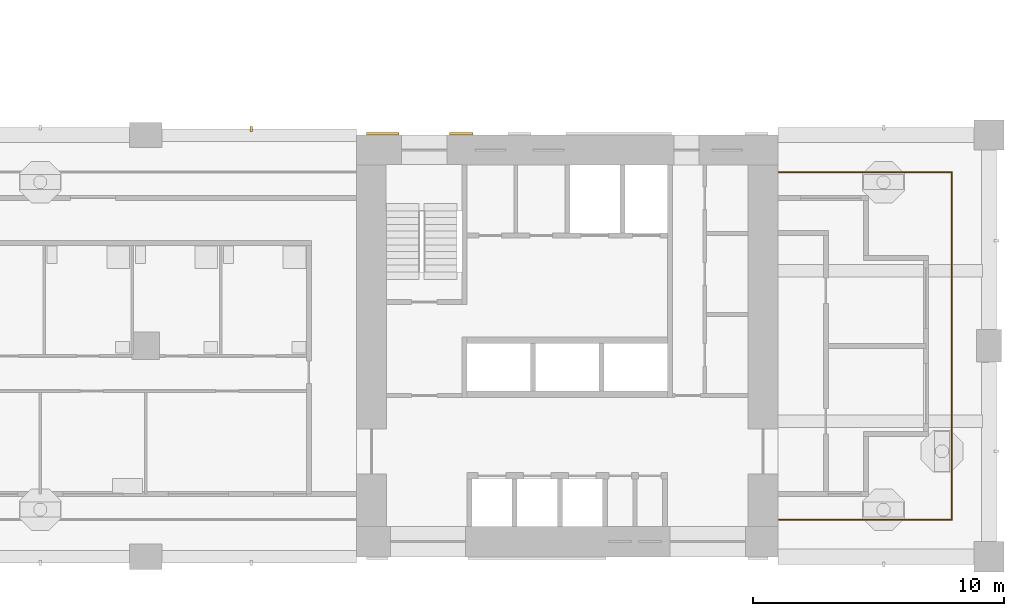
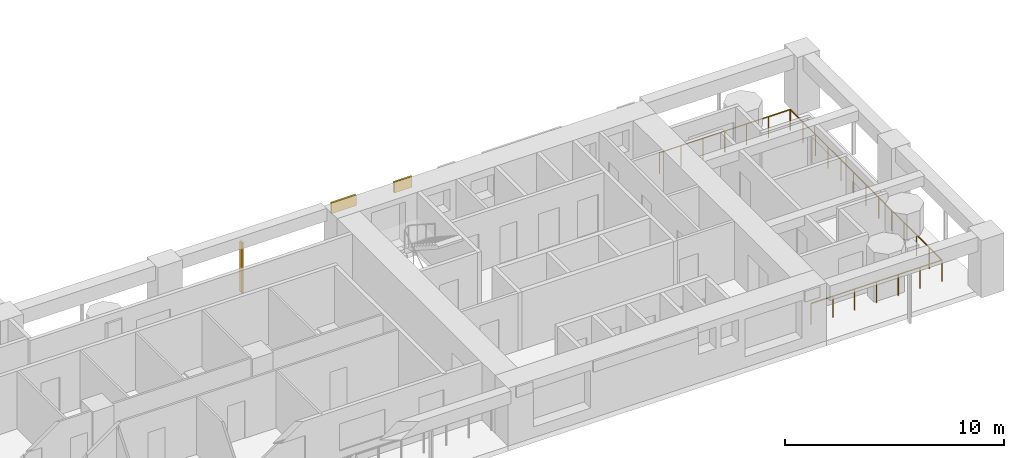
# One storey, part 13 of 19: 3 shading devices, 1 railing.
"""IFC4 building model written with IfcOpenShell, lengths in metres."""

from ifc_helpers import new_model, si_unit, direction, frame, origin, origin_2d, place, context, subcontext, project, spatial, rectangle, circle, extrude, material, layer, layer_set, material_profile, profile_set, type_object, element, save


model = new_model("IFC4")

# Units and contexts
model_context = context("Model", 3, precision=1e-05, world=origin(), true_north=direction((0.0, 1.0)))
body_context = subcontext(model_context, "Body", "Model", "MODEL_VIEW")
ifc_project = project(units=[si_unit("LENGTHUNIT", "METRE"), si_unit("AREAUNIT", "SQUARE_METRE"), si_unit("VOLUMEUNIT", "CUBIC_METRE"), si_unit("PLANEANGLEUNIT", "RADIAN"), si_unit("MASSUNIT", "GRAM", prefix="KILO")], contexts=[model_context])

# Site, building, storey
site_placement = place(None, origin())
site = spatial("IfcSite", under=ifc_project, at=site_placement, CompositionType="ELEMENT")
building_placement = place(site_placement, origin())
building = spatial("IfcBuilding", under=site, at=building_placement, Name="Vermilion Gate Residences", CompositionType="ELEMENT")
storey_placement = place(building_placement, frame((0.0, 0.0, 119.699951171875)))
storey = spatial("IfcBuildingStorey", under=building, at=storey_placement, Name="L30", CompositionType="ELEMENT", Elevation=119.699951171875)

# Railing
ifc_material_1 = material(Name="Stainless steel and toughened glass", Category="steel")
railing_type = type_object("IfcRailingType", Name="LOGGIA GUARD STEEL AND GLASS 1200", PredefinedType="GUARDRAIL", material=ifc_material_1)
railing_placement = place(storey_placement, frame((58.822021484375, 9.875, 0.0)))
element("IfcRailing", 1, at=railing_placement, inside=storey, type_object=railing_type, Name="Loggia guard", PredefinedType="GUARDRAIL", context=body_context, shape_type="SweptSolid", body=[
    extrude(circle(Radius=0.030029296875, at=origin_2d()), frame((0.0, 0.0, 1.169921875), z_axis=(1.0, 0.0, 0.0), x_axis=(0.0, 1.0, 0.0)), (0.0, 0.0, 1.0), 6.903076171875),
    extrude(circle(Radius=0.030029296875, at=origin_2d()), frame((6.903076171875, 0.0, 1.169921875), z_axis=(0.0, 1.0, 0.0), x_axis=(-1.0, 0.0, 0.0)), (0.0, 0.0, 1.0), 13.85009765625),
    extrude(circle(Radius=0.030029296875, at=origin_2d()), frame((6.903076171875, 13.85009765625, 1.169921875), z_axis=(-1.0, 0.0, 0.0), x_axis=(0.0, -1.0, 0.0)), (0.0, 0.0, 1.0), 6.903076171875),
    extrude(circle(Radius=0.02490234375, at=origin_2d()), origin(), (0.0, 0.0, 1.0), 1.139892578125),
    extrude(circle(Radius=0.02490234375, at=origin_2d()), frame((1.150390625, 0.0, 0.0)), (0.0, 0.0, 1.0), 1.139892578125),
    extrude(circle(Radius=0.02490234375, at=origin_2d()), frame((2.301025390625, 0.0, 0.0)), (0.0, 0.0, 1.0), 1.139892578125),
    extrude(circle(Radius=0.02490234375, at=origin_2d()), frame((3.45166015625, 0.0, 0.0)), (0.0, 0.0, 1.0), 1.139892578125),
    extrude(circle(Radius=0.02490234375, at=origin_2d()), frame((4.60205078125, 0.0, 0.0)), (0.0, 0.0, 1.0), 1.139892578125),
    extrude(circle(Radius=0.02490234375, at=origin_2d()), frame((5.75244140625, 0.0, 0.0)), (0.0, 0.0, 1.0), 1.139892578125),
    extrude(circle(Radius=0.02490234375, at=origin_2d()), frame((6.903076171875, 0.0, 0.0)), (0.0, 0.0, 1.0), 1.139892578125),
    extrude(circle(Radius=0.02490234375, at=origin_2d()), frame((6.903076171875, 1.154296875, 0.0)), (0.0, 0.0, 1.0), 1.139892578125),
    extrude(circle(Radius=0.02490234375, at=origin_2d()), frame((6.903076171875, 2.308349609375, 0.0)), (0.0, 0.0, 1.0), 1.139892578125),
    extrude(circle(Radius=0.02490234375, at=origin_2d()), frame((6.903076171875, 3.46240234375, 0.0)), (0.0, 0.0, 1.0), 1.139892578125),
    extrude(circle(Radius=0.02490234375, at=origin_2d()), frame((6.903076171875, 4.61669921875, 0.0)), (0.0, 0.0, 1.0), 1.139892578125),
    extrude(circle(Radius=0.02490234375, at=origin_2d()), frame((6.903076171875, 5.77099609375, 0.0)), (0.0, 0.0, 1.0), 1.139892578125),
    extrude(circle(Radius=0.02490234375, at=origin_2d()), frame((6.903076171875, 6.925048828125, 0.0)), (0.0, 0.0, 1.0), 1.139892578125),
    extrude(circle(Radius=0.02490234375, at=origin_2d()), frame((6.903076171875, 8.0791015625, 0.0)), (0.0, 0.0, 1.0), 1.139892578125),
    extrude(circle(Radius=0.02490234375, at=origin_2d()), frame((6.903076171875, 9.2333984375, 0.0)), (0.0, 0.0, 1.0), 1.139892578125),
    extrude(circle(Radius=0.02490234375, at=origin_2d()), frame((6.903076171875, 10.3876953125, 0.0)), (0.0, 0.0, 1.0), 1.139892578125),
    extrude(circle(Radius=0.02490234375, at=origin_2d()), frame((6.903076171875, 11.541748046875, 0.0)), (0.0, 0.0, 1.0), 1.139892578125),
    extrude(circle(Radius=0.02490234375, at=origin_2d()), frame((6.903076171875, 12.69580078125, 0.0)), (0.0, 0.0, 1.0), 1.139892578125),
    extrude(circle(Radius=0.02490234375, at=origin_2d()), frame((6.903076171875, 13.85009765625, 0.0)), (0.0, 0.0, 1.0), 1.139892578125),
    extrude(circle(Radius=0.02490234375, at=origin_2d()), frame((5.75244140625, 13.85009765625, 0.0)), (0.0, 0.0, 1.0), 1.139892578125),
    extrude(circle(Radius=0.02490234375, at=origin_2d()), frame((4.60205078125, 13.85009765625, 0.0)), (0.0, 0.0, 1.0), 1.139892578125),
    extrude(circle(Radius=0.02490234375, at=origin_2d()), frame((3.45166015625, 13.85009765625, 0.0)), (0.0, 0.0, 1.0), 1.139892578125),
    extrude(circle(Radius=0.02490234375, at=origin_2d()), frame((2.301025390625, 13.85009765625, 0.0)), (0.0, 0.0, 1.0), 1.139892578125),
    extrude(circle(Radius=0.02490234375, at=origin_2d()), frame((1.150390625, 13.85009765625, 0.0)), (0.0, 0.0, 1.0), 1.139892578125),
    extrude(circle(Radius=0.02490234375, at=origin_2d()), frame((0.0, 13.85009765625, 0.0)), (0.0, 0.0, 1.0), 1.139892578125),
])

# Shading devices
ifc_material_2 = material(Name="Extruded terracotta", Category="masonry")
ifc_material_profile = material_profile(ifc_material_2, rectangle(XDim=0.199951171875, YDim=0.10009765625, at=origin_2d()), Name="BAGUETTE 100 X 200")
ifc_profile_set = profile_set([ifc_material_profile], Name="Extruded terracotta")
shading_device_type_1 = type_object("IfcShadingDeviceType", Name="TERRACOTTA BAGUETTE 100 X 200", PredefinedType="JALOUSIE", material=ifc_profile_set)
shading_device_1_placement = place(storey_placement, frame((37.800048828125, 25.449951171875, -0.280029296875), z_axis=(0.0, 0.0, 1.0), x_axis=(0.0, -1.0, 0.0)))
element("IfcShadingDevice", 2, at=shading_device_1_placement, inside=storey, type_object=shading_device_type_1, Name="BAGUETTE", PredefinedType="JALOUSIE", context=body_context, shape_type="SweptSolid", body=[
    extrude(rectangle(XDim=0.199951171875, YDim=0.10009765625, at=origin_2d()), origin(), (0.0, 0.0, 1.0), 2.800048828125),
])
ifc_material_3 = material(Name="Extruded terracotta", Category="masonry")
ifc_layer = layer(ifc_material_3, 0.10009765625)
ifc_layer_set = layer_set([ifc_layer], Name="TERRACOTTA SPANDREL BAND 600 X 100")
shading_device_type_2 = type_object("IfcShadingDeviceType", Name="TERRACOTTA SPANDREL BAND 600 X 100", PredefinedType="USERDEFINED", material=ifc_layer_set)
shading_device_2_placement = place(storey_placement, frame((43.050048828125, 25.25, 2.6201171875), z_axis=(0.0, 0.0, 1.0), x_axis=(1.0, 0.0, 0.0)))
element("IfcShadingDevice", 3, at=shading_device_2_placement, inside=storey, type_object=shading_device_type_2, Name="SPANDREL BAND", ObjectType="BAND", PredefinedType="USERDEFINED", context=body_context, shape_type="SweptSolid", body=[
    extrude(rectangle(XDim=1.300048828125, YDim=0.10009765625, at=origin_2d()), origin(), (0.0, 0.0, 1.0), 0.60009765625),
])
shading_device_3_placement = place(storey_placement, frame((46.168701171875, 25.25, 2.6201171875), z_axis=(0.0, 0.0, 1.0), x_axis=(1.0, 0.0, 0.0)))
element("IfcShadingDevice", 4, at=shading_device_3_placement, inside=storey, type_object=shading_device_type_2, Name="SPANDREL BAND", ObjectType="BAND", PredefinedType="USERDEFINED", context=body_context, shape_type="SweptSolid", body=[
    extrude(rectangle(XDim=0.9375, YDim=0.10009765625, at=origin_2d()), origin(), (0.0, 0.0, 1.0), 0.60009765625),
])

save(model, "model.ifc")
